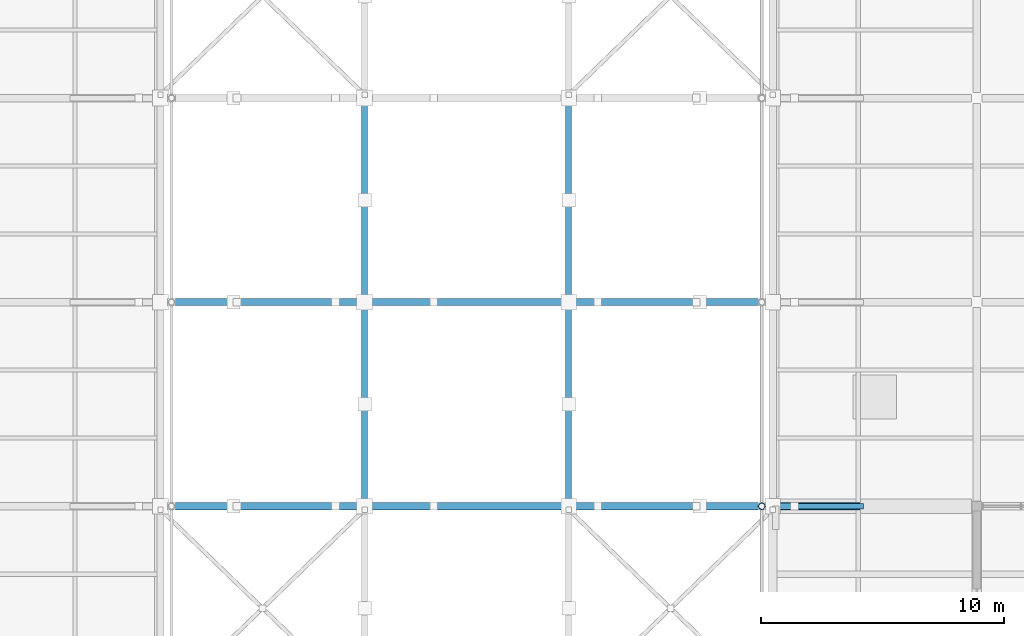
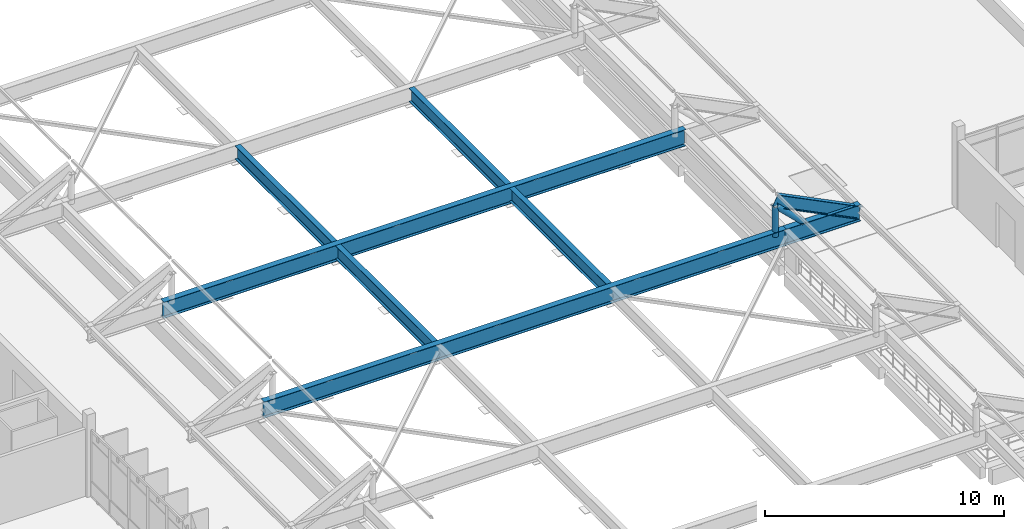
# One storey, part 17 of 41: 8 beams, 2 members.
"""IFC4 building model written with IfcOpenShell, lengths in metres."""

from ifc_helpers import new_model, si_unit, direction, frame, origin, origin_2d, place, context, subcontext, project, spatial, hollow_circle, i_section, extrude, material, material_profile, profile_set, type_object, element, save


model = new_model("IFC4")

# Units and contexts
model_context = context("Model", 3, precision=1e-05, world=origin(), true_north=direction((0.0, 1.0)))
body_context = subcontext(model_context, "Body", "Model", "MODEL_VIEW")
ifc_project = project(units=[si_unit("LENGTHUNIT", "METRE"), si_unit("AREAUNIT", "SQUARE_METRE"), si_unit("VOLUMEUNIT", "CUBIC_METRE"), si_unit("PLANEANGLEUNIT", "RADIAN"), si_unit("MASSUNIT", "GRAM", prefix="KILO")], contexts=[model_context])

# Site, building, storey
site_placement = place(None, origin())
site = spatial("IfcSite", under=ifc_project, at=site_placement, CompositionType="ELEMENT")
building_placement = place(site_placement, origin())
building = spatial("IfcBuilding", under=site, at=building_placement, Name="Vireocrest Preparatory School", CompositionType="ELEMENT")
storey_placement = place(building_placement, frame((0.0, 0.0, 21.60009765625)))
storey = spatial("IfcBuildingStorey", under=building, at=storey_placement, Name="L05", CompositionType="ELEMENT", Elevation=21.60009765625)

# Beams
ifc_material_1 = material(Name="Structural steel ASTM A992 Grade 50", Category="steel")
ifc_material_profile_1 = material_profile(ifc_material_1, i_section(OverallWidth=0.25390625, OverallDepth=0.68408203125, WebThickness=0.012451171875, FlangeThickness=0.018798828125, FilletRadius=0.01806640625, at=origin_2d()), Name="W27X94")
ifc_profile_set_1 = profile_set([ifc_material_profile_1], Name="Structural steel ASTM A992 Grade 50")
beam_type_1 = type_object("IfcBeamType", Name="Bridge Primary Steel Girder W27X94", PredefinedType="BEAM", material=ifc_profile_set_1)
for number, where, z_axis, x_axis, name in (
    (1, (75.60009765625, 60.743896484375, 1.492919921875), (0.0, 1.0, 0.0), (-1.0, 0.0, 0.0), "Canopy Longitudinal Beam WT-5"),
    (2, (84.0, 60.743896484375, 1.492919921875), (0.0, 1.0, 0.0), (-1.0, 0.0, 0.0), "Canopy Longitudinal Beam ET-5"),
    (3, (75.60009765625, 69.14404296875, 1.492919921875), (0.0, 1.0, 0.0), (-1.0, 0.0, 0.0), "Canopy Longitudinal Beam WT-6"),
    (4, (84.0, 69.14404296875, 1.492919921875), (0.0, 1.0, 0.0), (-1.0, 0.0, 0.0), "Canopy Longitudinal Beam ET-6"),
):
    element("IfcBeam", number, at=place(storey_placement, frame(where, z_axis=z_axis, x_axis=x_axis)), inside=storey, type_object=beam_type_1, Name=name, PredefinedType="BEAM", context=body_context, shape_type="SweptSolid", body=[
        extrude(i_section(OverallWidth=0.25390625, OverallDepth=0.68408203125, WebThickness=0.012451171875, FlangeThickness=0.018798828125, FilletRadius=0.01806640625, at=origin_2d()), origin(), (0.0, 0.0, 1.0), 8.112060546875),
    ])
ifc_material_profile_2 = material_profile(ifc_material_1, i_section(OverallWidth=0.2919921875, OverallDepth=0.8349609375, WebThickness=0.013916015625, FlangeThickness=0.018798828125, FilletRadius=0.02001953125, at=origin_2d()), Name="W33X118")
ifc_profile_set_2 = profile_set([ifc_material_profile_2], Name="Structural steel ASTM A992 Grade 50")
beam_type_2 = type_object("IfcBeamType", Name="Central Court Canopy Primary Girder W33X118", PredefinedType="BEAM", material=ifc_profile_set_2)
beam_1_placement = place(storey_placement, frame((67.199951171875, 60.60009765625, 1.41748046875), z_axis=(1.0, 0.0, 0.0), x_axis=(0.0, 1.0, 0.0)))
element("IfcBeam", 5, at=beam_1_placement, inside=storey, type_object=beam_type_2, Name="Central Court Canopy Primary Girder CG1-5C", PredefinedType="BEAM", context=body_context, shape_type="SweptSolid", body=[
    extrude(i_section(OverallWidth=0.2919921875, OverallDepth=0.8349609375, WebThickness=0.013916015625, FlangeThickness=0.018798828125, FilletRadius=0.02001953125, at=origin_2d()), origin(), (0.0, 0.0, 1.0), 25.199951171875),
])
beam_2_placement = place(storey_placement, frame((92.39990234375, 60.60009765625, 1.41748046875), z_axis=(1.0, 0.0, 0.0), x_axis=(0.0, 1.0, 0.0)))
element("IfcBeam", 6, at=beam_2_placement, inside=storey, type_object=beam_type_2, Name="Central Court Canopy Primary Girder CG1-5E", PredefinedType="BEAM", context=body_context, shape_type="SweptSolid", body=[
    extrude(i_section(OverallWidth=0.2919921875, OverallDepth=0.8349609375, WebThickness=0.013916015625, FlangeThickness=0.018798828125, FilletRadius=0.02001953125, at=origin_2d()), origin(), (0.0, 0.0, 1.0), 3.60009765625),
])
beam_3_placement = place(storey_placement, frame((67.199951171875, 69.0, 1.41748046875), z_axis=(1.0, 0.0, 0.0), x_axis=(0.0, 1.0, 0.0)))
element("IfcBeam", 7, at=beam_3_placement, inside=storey, type_object=beam_type_2, Name="Central Court Canopy Primary Girder CG1-6C", PredefinedType="BEAM", context=body_context, shape_type="SweptSolid", body=[
    extrude(i_section(OverallWidth=0.2919921875, OverallDepth=0.8349609375, WebThickness=0.013916015625, FlangeThickness=0.018798828125, FilletRadius=0.02001953125, at=origin_2d()), origin(), (0.0, 0.0, 1.0), 25.199951171875),
])
ifc_material_profile_3 = material_profile(ifc_material_1, i_section(OverallWidth=0.22802734375, OverallDepth=0.60302734375, WebThickness=0.010498046875, FlangeThickness=0.014892578125, FilletRadius=0.01611328125, at=origin_2d()), Name="W24X68")
ifc_profile_set_3 = profile_set([ifc_material_profile_3], Name="Structural steel ASTM A992 Grade 50")
beam_type_3 = type_object("IfcBeamType", Name="Dining Pavilion Roof Girder W24X68", PredefinedType="BEAM", material=ifc_profile_set_3)
beam_4_placement = place(storey_placement, frame((91.949951171875, 60.60009765625, 3.394287109375), z_axis=(0.894869090369, 0.0, -0.446328702979), x_axis=(0.0, 1.0, 0.0)))
element("IfcBeam", 8, at=beam_4_placement, inside=storey, type_object=beam_type_3, Name="Canopy Rafter Chord SB4-5-8", PredefinedType="BEAM", context=body_context, shape_type="SweptSolid", body=[
    extrude(i_section(OverallWidth=0.22802734375, OverallDepth=0.60302734375, WebThickness=0.010498046875, FlangeThickness=0.014892578125, FilletRadius=0.01611328125, at=origin_2d()), origin(), (0.0, 0.0, 1.0), 4.52587890625),
])

# Members
ifc_material_2 = material(Name="Painted white steel ASTM A500 Grade C", Category="steel")
ifc_material_profile_4 = material_profile(ifc_material_2, hollow_circle(Radius=0.136474609375, WallThickness=0.0126953125, at=origin_2d()), Name="HSS10.750X0.500")
ifc_profile_set_4 = profile_set([ifc_material_profile_4], Name="Painted white steel ASTM A500 Grade C")
member_type = type_object("IfcMemberType", Name="White Steel Clerestory Strut HSS10.750X0.500", PredefinedType="USERDEFINED", material=ifc_profile_set_4)
member_1_placement = place(storey_placement, frame((91.949951171875, 60.60009765625, 1.577392578125), z_axis=(0.0, 0.0, 1.0), x_axis=(1.0, 0.0, 0.0)))
element("IfcMember", 9, at=member_1_placement, inside=storey, type_object=member_type, Name="Canopy Truss Web Vertical VS3-5-8", ObjectType="STRUT", PredefinedType="USERDEFINED", context=body_context, shape_type="SweptSolid", body=[
    extrude(hollow_circle(Radius=0.136474609375, WallThickness=0.0126953125, at=origin_2d()), origin(), (0.0, 0.0, 1.0), 1.54052734375),
])
member_2_placement = place(storey_placement, frame((93.300048828125, 60.60009765625, 1.81494140625), z_axis=(-0.719551659837, 0.0, 0.694438916555), x_axis=(0.0, -1.0, 0.0)))
element("IfcMember", 10, at=member_2_placement, inside=storey, type_object=member_type, Name="Canopy Truss Web Strut VS3-5-7", ObjectType="STRUT", PredefinedType="USERDEFINED", context=body_context, shape_type="SweptSolid", body=[
    extrude(hollow_circle(Radius=0.136474609375, WallThickness=0.0126953125, at=origin_2d()), origin(), (0.0, 0.0, 1.0), 1.876220703125),
])

save(model, "model.ifc")
